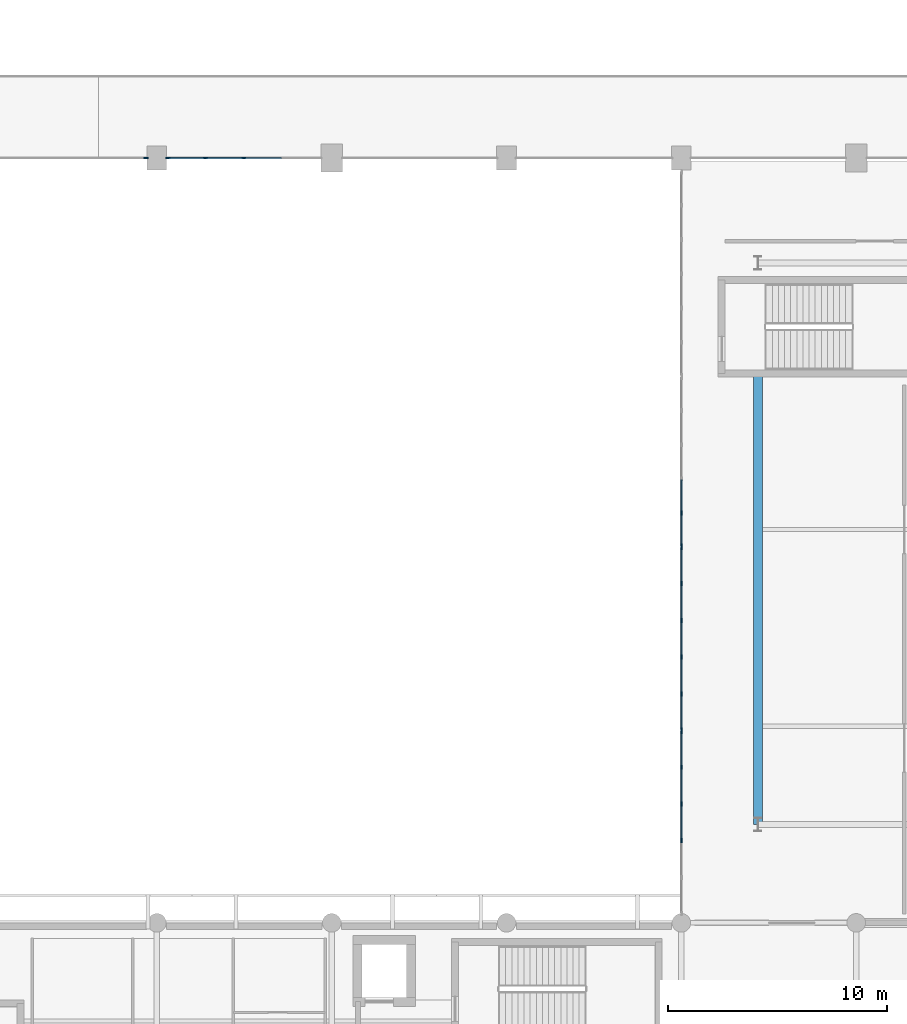
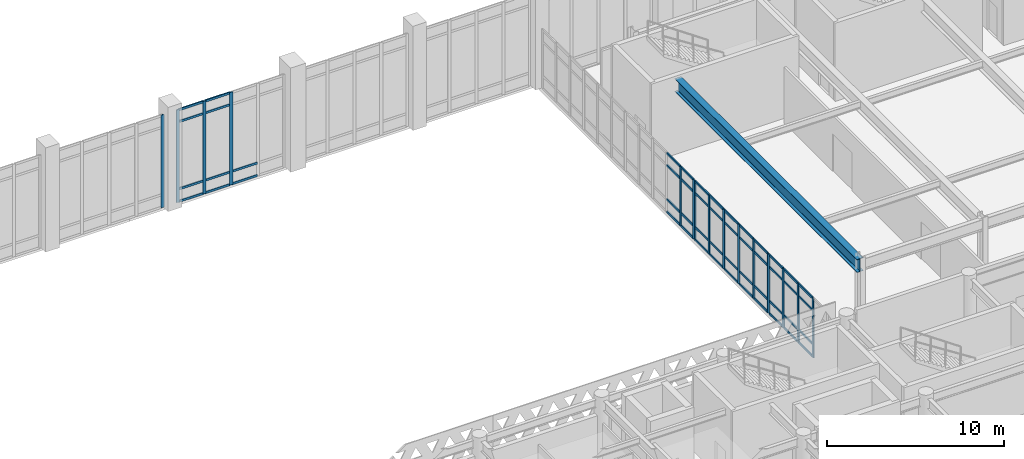
# One storey, part 27 of 84: 66 members, 1 beam, 5 elements without a shape of their own.
"""IFC4 building model written with IfcOpenShell, lengths in metres."""

from ifc_helpers import new_model, si_unit, direction, frame, origin, origin_2d, place, context, subcontext, project, spatial, rectangle, i_section, extrude, material, layer, layer_set, material_profile, profile_set, type_object, element, aggregate, save


model = new_model("IFC4")

# Units and contexts
model_context = context("Model", 3, precision=1e-05, world=origin(), true_north=direction((0.0, 1.0)))
body_context = subcontext(model_context, "Body", "Model", "MODEL_VIEW")
ifc_project = project(units=[si_unit("LENGTHUNIT", "METRE"), si_unit("AREAUNIT", "SQUARE_METRE"), si_unit("VOLUMEUNIT", "CUBIC_METRE"), si_unit("PLANEANGLEUNIT", "RADIAN"), si_unit("MASSUNIT", "GRAM", prefix="KILO")], contexts=[model_context])

# Site, building, storey
site_placement = place(None, origin())
site = spatial("IfcSite", under=ifc_project, at=site_placement, CompositionType="ELEMENT")
building_placement = place(site_placement, origin())
building = spatial("IfcBuilding", under=site, at=building_placement, Name="Tlacozan Convention Centre", CompositionType="ELEMENT")
storey_placement = place(building_placement, frame((0.0, 0.0, 6.0)))
storey = spatial("IfcBuildingStorey", under=building, at=storey_placement, Name="L01", CompositionType="ELEMENT", Elevation=6.0)

# Beam
ifc_material_1 = material(Name="Steel ASTM A992 Grade 50", Category="steel")
ifc_material_profile_1 = material_profile(ifc_material_1, i_section(OverallWidth=0.41796875, OverallDepth=0.912109375, WebThickness=0.019287109375, FlangeThickness=0.031982421875, FilletRadius=0.02001953125, at=origin_2d()), Name="IR 914x342.0")
ifc_profile_set_1 = profile_set([ifc_material_profile_1], Name="Steel ASTM A992 Grade 50")
beam_type = type_object("IfcBeamType", Name="Ballroom Span Girder IR 914x342", PredefinedType="BEAM", material=ifc_profile_set_1)
beam_placement = place(storey_placement, frame((91.5, 31.5, 4.68408203125), z_axis=(0.0, 1.0, 0.0), x_axis=(-1.0, 0.0, 0.0)))
element("IfcBeam", 1, at=beam_placement, inside=storey, type_object=beam_type, Name="L01 Ballroom Span Girder IR 914x342 1439", PredefinedType="BEAM", context=body_context, shape_type="SweptSolid", body=[
    extrude(i_section(OverallWidth=0.41796875, OverallDepth=0.912109375, WebThickness=0.019287109375, FlangeThickness=0.031982421875, FilletRadius=0.02001953125, at=origin_2d()), origin(), (0.0, 0.0, 1.0), 20.639892578125),
])

# Curtain wall, member
ifc_material_2 = material(Name="Dark Bronze Anodised Aluminium", Category="aluminium")
ifc_layer_1 = layer(ifc_material_2, 0.199951171875)
ifc_layer_set_1 = layer_set([ifc_layer_1], Name="Dark Bronze Anodised Aluminium")
curtain_wall_type_1 = type_object("IfcCurtainWallType", Name="Exhibition Clerestory Curtain Wall CW10", PredefinedType="NOTDEFINED", material=ifc_layer_set_1)
curtain_wall_1_placement = place(storey_placement, origin())
curtain_wall_1 = element("IfcCurtainWall", 2, at=curtain_wall_1_placement, inside=storey, type_object=curtain_wall_type_1, Name="L01 CW-10 Run 16", PredefinedType="NOTDEFINED")
ifc_material_profile_2 = material_profile(ifc_material_2, rectangle(XDim=0.074951171875, YDim=0.199951171875, at=origin_2d()), Name="ALU 75x200")
ifc_profile_set_2 = profile_set([ifc_material_profile_2], Name="Dark Bronze Anodised Aluminium")
member_type_1 = type_object("IfcMemberType", Name="Curtain Wall Heavy Mullion 75x200", PredefinedType="MULLION", material=ifc_profile_set_2)
member_1_placement = place(storey_placement, frame((63.49755859375, 62.0, 0.0), z_axis=(0.0, 0.0, 1.0), x_axis=(0.0, 1.0, 0.0)))
member_1 = element("IfcMember", 3, at=member_1_placement, type_object=member_type_1, Name="CW-10 mullion 5", PredefinedType="MULLION", context=body_context, shape_type="SweptSolid", body=[
    extrude(rectangle(XDim=0.074951171875, YDim=0.199951171875, at=origin_2d()), origin(), (0.0, 0.0, 1.0), 6.39990234375),
])
aggregate(curtain_wall_1, [member_1])

# Curtain wall, members
curtain_wall_2_placement = place(storey_placement, origin())
curtain_wall_2 = element("IfcCurtainWall", 4, at=curtain_wall_2_placement, inside=storey, type_object=curtain_wall_type_1, Name="L01 CW-10 Run 17", PredefinedType="NOTDEFINED")
member_2_placement = place(storey_placement, frame((64.50244140625, 62.0, 0.0), z_axis=(0.0, 0.0, 1.0), x_axis=(0.0, 1.0, 0.0)))
member_2 = element("IfcMember", 5, at=member_2_placement, type_object=member_type_1, Name="CW-10 mullion 1", PredefinedType="MULLION", context=body_context, shape_type="SweptSolid", body=[
    extrude(rectangle(XDim=0.074951171875, YDim=0.199951171875, at=origin_2d()), origin(), (0.0, 0.0, 1.0), 6.39990234375),
])
member_3_placement = place(storey_placement, frame((66.219970703125, 62.0, 0.0), z_axis=(0.0, 0.0, 1.0), x_axis=(0.0, 1.0, 0.0)))
member_3 = element("IfcMember", 6, at=member_3_placement, type_object=member_type_1, Name="CW-10 mullion 2", PredefinedType="MULLION", context=body_context, shape_type="SweptSolid", body=[
    extrude(rectangle(XDim=0.074951171875, YDim=0.199951171875, at=origin_2d()), origin(), (0.0, 0.0, 1.0), 6.39990234375),
])
member_4_placement = place(storey_placement, frame((67.97509765625, 62.0, 0.0), z_axis=(0.0, 0.0, 1.0), x_axis=(0.0, 1.0, 0.0)))
member_4 = element("IfcMember", 7, at=member_4_placement, type_object=member_type_1, Name="CW-10 mullion 3", PredefinedType="MULLION", context=body_context, shape_type="SweptSolid", body=[
    extrude(rectangle(XDim=0.074951171875, YDim=0.199951171875, at=origin_2d()), origin(), (0.0, 0.0, 1.0), 6.39990234375),
])

ifc_layer_2 = layer(ifc_material_2, 0.199951171875)
ifc_layer_set_2 = layer_set([ifc_layer_2], Name="Dark Bronze Anodised Aluminium")
curtain_wall_type_2 = type_object("IfcCurtainWallType", Name="Unitised Ballroom Cloister L01 CW08", PredefinedType="NOTDEFINED", material=ifc_layer_set_2)
curtain_wall_3_placement = place(storey_placement, origin())
curtain_wall_3 = element("IfcCurtainWall", 8, at=curtain_wall_3_placement, inside=storey, type_object=curtain_wall_type_2, Name="L01 CW-08 Run 155", PredefinedType="NOTDEFINED")
member_5_placement = place(storey_placement, frame((88.0, 30.760009765625, 0.0), z_axis=(0.0, 0.0, 1.0), x_axis=(-1.0, 0.0, 0.0)))
member_5 = element("IfcMember", 9, at=member_5_placement, type_object=member_type_1, Name="CW-08 mullion 3", PredefinedType="MULLION", context=body_context, shape_type="SweptSolid", body=[
    extrude(rectangle(XDim=0.074951171875, YDim=0.199951171875, at=origin_2d()), origin(), (0.0, 0.0, 1.0), 4.10009765625),
])
member_6_placement = place(storey_placement, frame((88.0, 32.43994140625, 0.0), z_axis=(0.0, 0.0, 1.0), x_axis=(-1.0, 0.0, 0.0)))
member_6 = element("IfcMember", 10, at=member_6_placement, type_object=member_type_1, Name="CW-08 mullion 4", PredefinedType="MULLION", context=body_context, shape_type="SweptSolid", body=[
    extrude(rectangle(XDim=0.074951171875, YDim=0.199951171875, at=origin_2d()), origin(), (0.0, 0.0, 1.0), 4.10009765625),
])
member_7_placement = place(storey_placement, frame((88.0, 34.1201171875, 0.0), z_axis=(0.0, 0.0, 1.0), x_axis=(-1.0, 0.0, 0.0)))
member_7 = element("IfcMember", 11, at=member_7_placement, type_object=member_type_1, Name="CW-08 mullion 5", PredefinedType="MULLION", context=body_context, shape_type="SweptSolid", body=[
    extrude(rectangle(XDim=0.074951171875, YDim=0.199951171875, at=origin_2d()), origin(), (0.0, 0.0, 1.0), 4.10009765625),
])
member_8_placement = place(storey_placement, frame((88.0, 35.762451171875, 0.0), z_axis=(0.0, 0.0, 1.0), x_axis=(-1.0, 0.0, 0.0)))
member_8 = element("IfcMember", 12, at=member_8_placement, type_object=member_type_1, Name="CW-08 mullion 6", PredefinedType="MULLION", context=body_context, shape_type="SweptSolid", body=[
    extrude(rectangle(XDim=0.074951171875, YDim=0.199951171875, at=origin_2d()), origin(), (0.0, 0.0, 1.0), 4.10009765625),
])

curtain_wall_4_placement = place(storey_placement, origin())
curtain_wall_4 = element("IfcCurtainWall", 13, at=curtain_wall_4_placement, inside=storey, type_object=curtain_wall_type_2, Name="L01 CW-08 Run 157", PredefinedType="NOTDEFINED")
member_9_placement = place(storey_placement, frame((88.0, 35.83740234375, 0.0), z_axis=(0.0, 0.0, 1.0), x_axis=(-1.0, 0.0, 0.0)))
member_9 = element("IfcMember", 14, at=member_9_placement, type_object=member_type_1, Name="CW-08 mullion 1", PredefinedType="MULLION", context=body_context, shape_type="SweptSolid", body=[
    extrude(rectangle(XDim=0.074951171875, YDim=0.199951171875, at=origin_2d()), origin(), (0.0, 0.0, 1.0), 4.10009765625),
])
member_10_placement = place(storey_placement, frame((88.0, 37.47998046875, 0.0), z_axis=(0.0, 0.0, 1.0), x_axis=(-1.0, 0.0, 0.0)))
member_10 = element("IfcMember", 15, at=member_10_placement, type_object=member_type_1, Name="CW-08 mullion 2", PredefinedType="MULLION", context=body_context, shape_type="SweptSolid", body=[
    extrude(rectangle(XDim=0.074951171875, YDim=0.199951171875, at=origin_2d()), origin(), (0.0, 0.0, 1.0), 4.10009765625),
])
member_11_placement = place(storey_placement, frame((88.0, 39.159912109375, 0.0), z_axis=(0.0, 0.0, 1.0), x_axis=(-1.0, 0.0, 0.0)))
member_11 = element("IfcMember", 16, at=member_11_placement, type_object=member_type_1, Name="CW-08 mullion 3", PredefinedType="MULLION", context=body_context, shape_type="SweptSolid", body=[
    extrude(rectangle(XDim=0.074951171875, YDim=0.199951171875, at=origin_2d()), origin(), (0.0, 0.0, 1.0), 4.10009765625),
])
member_12_placement = place(storey_placement, frame((88.0, 40.840087890625, 0.0), z_axis=(0.0, 0.0, 1.0), x_axis=(-1.0, 0.0, 0.0)))
member_12 = element("IfcMember", 17, at=member_12_placement, type_object=member_type_1, Name="CW-08 mullion 4", PredefinedType="MULLION", context=body_context, shape_type="SweptSolid", body=[
    extrude(rectangle(XDim=0.074951171875, YDim=0.199951171875, at=origin_2d()), origin(), (0.0, 0.0, 1.0), 4.10009765625),
])
member_13_placement = place(storey_placement, frame((88.0, 42.52001953125, 0.0), z_axis=(0.0, 0.0, 1.0), x_axis=(-1.0, 0.0, 0.0)))
member_13 = element("IfcMember", 18, at=member_13_placement, type_object=member_type_1, Name="CW-08 mullion 5", PredefinedType="MULLION", context=body_context, shape_type="SweptSolid", body=[
    extrude(rectangle(XDim=0.074951171875, YDim=0.199951171875, at=origin_2d()), origin(), (0.0, 0.0, 1.0), 4.10009765625),
])
member_14_placement = place(storey_placement, frame((88.0, 44.16259765625, 0.0), z_axis=(0.0, 0.0, 1.0), x_axis=(-1.0, 0.0, 0.0)))
member_14 = element("IfcMember", 19, at=member_14_placement, type_object=member_type_1, Name="CW-08 mullion 6", PredefinedType="MULLION", context=body_context, shape_type="SweptSolid", body=[
    extrude(rectangle(XDim=0.074951171875, YDim=0.199951171875, at=origin_2d()), origin(), (0.0, 0.0, 1.0), 4.10009765625),
])

curtain_wall_5_placement = place(storey_placement, origin())
curtain_wall_5 = element("IfcCurtainWall", 20, at=curtain_wall_5_placement, inside=storey, type_object=curtain_wall_type_2, Name="L01 CW-08 Run 160", PredefinedType="NOTDEFINED")
member_15_placement = place(storey_placement, frame((88.0, 44.237548828125, 0.0), z_axis=(0.0, 0.0, 1.0), x_axis=(-1.0, 0.0, 0.0)))
member_15 = element("IfcMember", 21, at=member_15_placement, type_object=member_type_1, Name="CW-08 mullion 1", PredefinedType="MULLION", context=body_context, shape_type="SweptSolid", body=[
    extrude(rectangle(XDim=0.074951171875, YDim=0.199951171875, at=origin_2d()), origin(), (0.0, 0.0, 1.0), 4.10009765625),
])
member_16_placement = place(storey_placement, frame((88.0, 45.760009765625, 0.0), z_axis=(0.0, 0.0, 1.0), x_axis=(-1.0, 0.0, 0.0)))
member_16 = element("IfcMember", 22, at=member_16_placement, type_object=member_type_1, Name="CW-08 mullion 2", PredefinedType="MULLION", context=body_context, shape_type="SweptSolid", body=[
    extrude(rectangle(XDim=0.074951171875, YDim=0.199951171875, at=origin_2d()), origin(), (0.0, 0.0, 1.0), 4.10009765625),
])

# Member
ifc_material_profile_3 = material_profile(ifc_material_2, rectangle(XDim=0.074951171875, YDim=0.14990234375, at=origin_2d()), Name="ALU 75x150")
ifc_profile_set_3 = profile_set([ifc_material_profile_3], Name="Dark Bronze Anodised Aluminium")
member_type_2 = type_object("IfcMemberType", Name="Curtain Wall Heavy Transom 75x150", PredefinedType="USERDEFINED", material=ifc_profile_set_3)
member_17_placement = place(storey_placement, frame((64.5400390625, 62.0, 0.03759765625), z_axis=(1.0, 0.0, 0.0), x_axis=(0.0, 1.0, 0.0)))
member_17 = element("IfcMember", 23, at=member_17_placement, type_object=member_type_2, Name="CW-10 transom 1.1", ObjectType="TRANSOM", PredefinedType="USERDEFINED", context=body_context, shape_type="SweptSolid", body=[
    extrude(rectangle(XDim=0.074951171875, YDim=0.14990234375, at=origin_2d()), origin(), (0.0, 0.0, 1.0), 1.642578125),
])

member_18_placement = place(storey_placement, frame((64.5400390625, 62.0, 0.89990234375), z_axis=(1.0, 0.0, 0.0), x_axis=(0.0, 1.0, 0.0)))
member_18 = element("IfcMember", 24, at=member_18_placement, type_object=member_type_2, Name="CW-10 transom 1.2", ObjectType="TRANSOM", PredefinedType="USERDEFINED", context=body_context, shape_type="SweptSolid", body=[
    extrude(rectangle(XDim=0.074951171875, YDim=0.14990234375, at=origin_2d()), origin(), (0.0, 0.0, 1.0), 1.642578125),
])

member_19_placement = place(storey_placement, frame((64.5400390625, 62.0, 5.550048828125), z_axis=(1.0, 0.0, 0.0), x_axis=(0.0, 1.0, 0.0)))
member_19 = element("IfcMember", 25, at=member_19_placement, type_object=member_type_2, Name="CW-10 transom 1.3", ObjectType="TRANSOM", PredefinedType="USERDEFINED", context=body_context, shape_type="SweptSolid", body=[
    extrude(rectangle(XDim=0.074951171875, YDim=0.14990234375, at=origin_2d()), origin(), (0.0, 0.0, 1.0), 1.642578125),
])

member_20_placement = place(storey_placement, frame((64.5400390625, 62.0, 6.362548828125), z_axis=(1.0, 0.0, 0.0), x_axis=(0.0, 1.0, 0.0)))
member_20 = element("IfcMember", 26, at=member_20_placement, type_object=member_type_2, Name="CW-10 transom 1.4", ObjectType="TRANSOM", PredefinedType="USERDEFINED", context=body_context, shape_type="SweptSolid", body=[
    extrude(rectangle(XDim=0.074951171875, YDim=0.14990234375, at=origin_2d()), origin(), (0.0, 0.0, 1.0), 1.642578125),
])

member_21_placement = place(storey_placement, frame((66.257568359375, 62.0, 0.03759765625), z_axis=(1.0, 0.0, 0.0), x_axis=(0.0, 1.0, 0.0)))
member_21 = element("IfcMember", 27, at=member_21_placement, type_object=member_type_2, Name="CW-10 transom 2.1", ObjectType="TRANSOM", PredefinedType="USERDEFINED", context=body_context, shape_type="SweptSolid", body=[
    extrude(rectangle(XDim=0.074951171875, YDim=0.14990234375, at=origin_2d()), origin(), (0.0, 0.0, 1.0), 1.679931640625),
])

member_22_placement = place(storey_placement, frame((66.257568359375, 62.0, 0.89990234375), z_axis=(1.0, 0.0, 0.0), x_axis=(0.0, 1.0, 0.0)))
member_22 = element("IfcMember", 28, at=member_22_placement, type_object=member_type_2, Name="CW-10 transom 2.2", ObjectType="TRANSOM", PredefinedType="USERDEFINED", context=body_context, shape_type="SweptSolid", body=[
    extrude(rectangle(XDim=0.074951171875, YDim=0.14990234375, at=origin_2d()), origin(), (0.0, 0.0, 1.0), 1.679931640625),
])

member_23_placement = place(storey_placement, frame((66.257568359375, 62.0, 5.550048828125), z_axis=(1.0, 0.0, 0.0), x_axis=(0.0, 1.0, 0.0)))
member_23 = element("IfcMember", 29, at=member_23_placement, type_object=member_type_2, Name="CW-10 transom 2.3", ObjectType="TRANSOM", PredefinedType="USERDEFINED", context=body_context, shape_type="SweptSolid", body=[
    extrude(rectangle(XDim=0.074951171875, YDim=0.14990234375, at=origin_2d()), origin(), (0.0, 0.0, 1.0), 1.679931640625),
])

member_24_placement = place(storey_placement, frame((66.257568359375, 62.0, 6.362548828125), z_axis=(1.0, 0.0, 0.0), x_axis=(0.0, 1.0, 0.0)))
member_24 = element("IfcMember", 30, at=member_24_placement, type_object=member_type_2, Name="CW-10 transom 2.4", ObjectType="TRANSOM", PredefinedType="USERDEFINED", context=body_context, shape_type="SweptSolid", body=[
    extrude(rectangle(XDim=0.074951171875, YDim=0.14990234375, at=origin_2d()), origin(), (0.0, 0.0, 1.0), 1.679931640625),
])

member_25_placement = place(storey_placement, frame((68.012451171875, 62.0, 0.03759765625), z_axis=(1.0, 0.0, 0.0), x_axis=(0.0, 1.0, 0.0)))
member_25 = element("IfcMember", 31, at=member_25_placement, type_object=member_type_2, Name="CW-10 transom 3.1", ObjectType="TRANSOM", PredefinedType="USERDEFINED", context=body_context, shape_type="SweptSolid", body=[
    extrude(rectangle(XDim=0.074951171875, YDim=0.14990234375, at=origin_2d()), origin(), (0.0, 0.0, 1.0), 1.679931640625),
])

member_26_placement = place(storey_placement, frame((68.012451171875, 62.0, 0.89990234375), z_axis=(1.0, 0.0, 0.0), x_axis=(0.0, 1.0, 0.0)))
member_26 = element("IfcMember", 32, at=member_26_placement, type_object=member_type_2, Name="CW-10 transom 3.2", ObjectType="TRANSOM", PredefinedType="USERDEFINED", context=body_context, shape_type="SweptSolid", body=[
    extrude(rectangle(XDim=0.074951171875, YDim=0.14990234375, at=origin_2d()), origin(), (0.0, 0.0, 1.0), 1.679931640625),
])

aggregate(curtain_wall_2, [member_2, member_3, member_4, member_17, member_18, member_19, member_20, member_21, member_22, member_23, member_24, member_25, member_26])

member_27_placement = place(storey_placement, frame((88.0, 30.797607421875, 0.03759765625), z_axis=(0.0, 1.0, 0.0), x_axis=(-1.0, 0.0, 0.0)))
member_27 = element("IfcMember", 33, at=member_27_placement, type_object=member_type_2, Name="CW-08 transom 3.1", ObjectType="TRANSOM", PredefinedType="USERDEFINED", context=body_context, shape_type="SweptSolid", body=[
    extrude(rectangle(XDim=0.074951171875, YDim=0.14990234375, at=origin_2d()), origin(), (0.0, 0.0, 1.0), 1.60498046875),
])

member_28_placement = place(storey_placement, frame((88.0, 30.797607421875, 0.89990234375), z_axis=(0.0, 1.0, 0.0), x_axis=(-1.0, 0.0, 0.0)))
member_28 = element("IfcMember", 34, at=member_28_placement, type_object=member_type_2, Name="CW-08 transom 3.2", ObjectType="TRANSOM", PredefinedType="USERDEFINED", context=body_context, shape_type="SweptSolid", body=[
    extrude(rectangle(XDim=0.074951171875, YDim=0.14990234375, at=origin_2d()), origin(), (0.0, 0.0, 1.0), 1.60498046875),
])

member_29_placement = place(storey_placement, frame((88.0, 30.797607421875, 3.25), z_axis=(0.0, 1.0, 0.0), x_axis=(-1.0, 0.0, 0.0)))
member_29 = element("IfcMember", 35, at=member_29_placement, type_object=member_type_2, Name="CW-08 transom 3.3", ObjectType="TRANSOM", PredefinedType="USERDEFINED", context=body_context, shape_type="SweptSolid", body=[
    extrude(rectangle(XDim=0.074951171875, YDim=0.14990234375, at=origin_2d()), origin(), (0.0, 0.0, 1.0), 1.60498046875),
])

member_30_placement = place(storey_placement, frame((88.0, 30.797607421875, 4.0625), z_axis=(0.0, 1.0, 0.0), x_axis=(-1.0, 0.0, 0.0)))
member_30 = element("IfcMember", 36, at=member_30_placement, type_object=member_type_2, Name="CW-08 transom 3.4", ObjectType="TRANSOM", PredefinedType="USERDEFINED", context=body_context, shape_type="SweptSolid", body=[
    extrude(rectangle(XDim=0.074951171875, YDim=0.14990234375, at=origin_2d()), origin(), (0.0, 0.0, 1.0), 1.60498046875),
])

member_31_placement = place(storey_placement, frame((88.0, 32.4775390625, 0.03759765625), z_axis=(0.0, 1.0, 0.0), x_axis=(-1.0, 0.0, 0.0)))
member_31 = element("IfcMember", 37, at=member_31_placement, type_object=member_type_2, Name="CW-08 transom 4.1", ObjectType="TRANSOM", PredefinedType="USERDEFINED", context=body_context, shape_type="SweptSolid", body=[
    extrude(rectangle(XDim=0.074951171875, YDim=0.14990234375, at=origin_2d()), origin(), (0.0, 0.0, 1.0), 1.60498046875),
])

member_32_placement = place(storey_placement, frame((88.0, 32.4775390625, 0.89990234375), z_axis=(0.0, 1.0, 0.0), x_axis=(-1.0, 0.0, 0.0)))
member_32 = element("IfcMember", 38, at=member_32_placement, type_object=member_type_2, Name="CW-08 transom 4.2", ObjectType="TRANSOM", PredefinedType="USERDEFINED", context=body_context, shape_type="SweptSolid", body=[
    extrude(rectangle(XDim=0.074951171875, YDim=0.14990234375, at=origin_2d()), origin(), (0.0, 0.0, 1.0), 1.60498046875),
])

member_33_placement = place(storey_placement, frame((88.0, 32.4775390625, 3.25), z_axis=(0.0, 1.0, 0.0), x_axis=(-1.0, 0.0, 0.0)))
member_33 = element("IfcMember", 39, at=member_33_placement, type_object=member_type_2, Name="CW-08 transom 4.3", ObjectType="TRANSOM", PredefinedType="USERDEFINED", context=body_context, shape_type="SweptSolid", body=[
    extrude(rectangle(XDim=0.074951171875, YDim=0.14990234375, at=origin_2d()), origin(), (0.0, 0.0, 1.0), 1.60498046875),
])

member_34_placement = place(storey_placement, frame((88.0, 32.4775390625, 4.0625), z_axis=(0.0, 1.0, 0.0), x_axis=(-1.0, 0.0, 0.0)))
member_34 = element("IfcMember", 40, at=member_34_placement, type_object=member_type_2, Name="CW-08 transom 4.4", ObjectType="TRANSOM", PredefinedType="USERDEFINED", context=body_context, shape_type="SweptSolid", body=[
    extrude(rectangle(XDim=0.074951171875, YDim=0.14990234375, at=origin_2d()), origin(), (0.0, 0.0, 1.0), 1.60498046875),
])

member_35_placement = place(storey_placement, frame((88.0, 34.157470703125, 0.03759765625), z_axis=(0.0, 1.0, 0.0), x_axis=(-1.0, 0.0, 0.0)))
member_35 = element("IfcMember", 41, at=member_35_placement, type_object=member_type_2, Name="CW-08 transom 5.1", ObjectType="TRANSOM", PredefinedType="USERDEFINED", context=body_context, shape_type="SweptSolid", body=[
    extrude(rectangle(XDim=0.074951171875, YDim=0.14990234375, at=origin_2d()), origin(), (0.0, 0.0, 1.0), 1.567626953125),
])

member_36_placement = place(storey_placement, frame((88.0, 34.157470703125, 0.89990234375), z_axis=(0.0, 1.0, 0.0), x_axis=(-1.0, 0.0, 0.0)))
member_36 = element("IfcMember", 42, at=member_36_placement, type_object=member_type_2, Name="CW-08 transom 5.2", ObjectType="TRANSOM", PredefinedType="USERDEFINED", context=body_context, shape_type="SweptSolid", body=[
    extrude(rectangle(XDim=0.074951171875, YDim=0.14990234375, at=origin_2d()), origin(), (0.0, 0.0, 1.0), 1.567626953125),
])

member_37_placement = place(storey_placement, frame((88.0, 34.157470703125, 3.25), z_axis=(0.0, 1.0, 0.0), x_axis=(-1.0, 0.0, 0.0)))
member_37 = element("IfcMember", 43, at=member_37_placement, type_object=member_type_2, Name="CW-08 transom 5.3", ObjectType="TRANSOM", PredefinedType="USERDEFINED", context=body_context, shape_type="SweptSolid", body=[
    extrude(rectangle(XDim=0.074951171875, YDim=0.14990234375, at=origin_2d()), origin(), (0.0, 0.0, 1.0), 1.567626953125),
])

member_38_placement = place(storey_placement, frame((88.0, 34.157470703125, 4.0625), z_axis=(0.0, 1.0, 0.0), x_axis=(-1.0, 0.0, 0.0)))
member_38 = element("IfcMember", 44, at=member_38_placement, type_object=member_type_2, Name="CW-08 transom 5.4", ObjectType="TRANSOM", PredefinedType="USERDEFINED", context=body_context, shape_type="SweptSolid", body=[
    extrude(rectangle(XDim=0.074951171875, YDim=0.14990234375, at=origin_2d()), origin(), (0.0, 0.0, 1.0), 1.567626953125),
])

aggregate(curtain_wall_3, [member_5, member_6, member_7, member_8, member_27, member_28, member_29, member_30, member_31, member_32, member_33, member_34, member_35, member_36, member_37, member_38])

member_39_placement = place(storey_placement, frame((88.0, 35.875, 0.03759765625), z_axis=(0.0, 1.0, 0.0), x_axis=(-1.0, 0.0, 0.0)))
member_39 = element("IfcMember", 45, at=member_39_placement, type_object=member_type_2, Name="CW-08 transom 1.1", ObjectType="TRANSOM", PredefinedType="USERDEFINED", context=body_context, shape_type="SweptSolid", body=[
    extrude(rectangle(XDim=0.074951171875, YDim=0.14990234375, at=origin_2d()), origin(), (0.0, 0.0, 1.0), 1.5673828125),
])

member_40_placement = place(storey_placement, frame((88.0, 35.875, 0.89990234375), z_axis=(0.0, 1.0, 0.0), x_axis=(-1.0, 0.0, 0.0)))
member_40 = element("IfcMember", 46, at=member_40_placement, type_object=member_type_2, Name="CW-08 transom 1.2", ObjectType="TRANSOM", PredefinedType="USERDEFINED", context=body_context, shape_type="SweptSolid", body=[
    extrude(rectangle(XDim=0.074951171875, YDim=0.14990234375, at=origin_2d()), origin(), (0.0, 0.0, 1.0), 1.5673828125),
])

member_41_placement = place(storey_placement, frame((88.0, 35.875, 3.25), z_axis=(0.0, 1.0, 0.0), x_axis=(-1.0, 0.0, 0.0)))
member_41 = element("IfcMember", 47, at=member_41_placement, type_object=member_type_2, Name="CW-08 transom 1.3", ObjectType="TRANSOM", PredefinedType="USERDEFINED", context=body_context, shape_type="SweptSolid", body=[
    extrude(rectangle(XDim=0.074951171875, YDim=0.14990234375, at=origin_2d()), origin(), (0.0, 0.0, 1.0), 1.5673828125),
])

member_42_placement = place(storey_placement, frame((88.0, 35.875, 4.0625), z_axis=(0.0, 1.0, 0.0), x_axis=(-1.0, 0.0, 0.0)))
member_42 = element("IfcMember", 48, at=member_42_placement, type_object=member_type_2, Name="CW-08 transom 1.4", ObjectType="TRANSOM", PredefinedType="USERDEFINED", context=body_context, shape_type="SweptSolid", body=[
    extrude(rectangle(XDim=0.074951171875, YDim=0.14990234375, at=origin_2d()), origin(), (0.0, 0.0, 1.0), 1.5673828125),
])

member_43_placement = place(storey_placement, frame((88.0, 37.517578125, 0.03759765625), z_axis=(0.0, 1.0, 0.0), x_axis=(-1.0, 0.0, 0.0)))
member_43 = element("IfcMember", 49, at=member_43_placement, type_object=member_type_2, Name="CW-08 transom 2.1", ObjectType="TRANSOM", PredefinedType="USERDEFINED", context=body_context, shape_type="SweptSolid", body=[
    extrude(rectangle(XDim=0.074951171875, YDim=0.14990234375, at=origin_2d()), origin(), (0.0, 0.0, 1.0), 1.60498046875),
])

member_44_placement = place(storey_placement, frame((88.0, 37.517578125, 0.89990234375), z_axis=(0.0, 1.0, 0.0), x_axis=(-1.0, 0.0, 0.0)))
member_44 = element("IfcMember", 50, at=member_44_placement, type_object=member_type_2, Name="CW-08 transom 2.2", ObjectType="TRANSOM", PredefinedType="USERDEFINED", context=body_context, shape_type="SweptSolid", body=[
    extrude(rectangle(XDim=0.074951171875, YDim=0.14990234375, at=origin_2d()), origin(), (0.0, 0.0, 1.0), 1.60498046875),
])

member_45_placement = place(storey_placement, frame((88.0, 37.517578125, 3.25), z_axis=(0.0, 1.0, 0.0), x_axis=(-1.0, 0.0, 0.0)))
member_45 = element("IfcMember", 51, at=member_45_placement, type_object=member_type_2, Name="CW-08 transom 2.3", ObjectType="TRANSOM", PredefinedType="USERDEFINED", context=body_context, shape_type="SweptSolid", body=[
    extrude(rectangle(XDim=0.074951171875, YDim=0.14990234375, at=origin_2d()), origin(), (0.0, 0.0, 1.0), 1.60498046875),
])

member_46_placement = place(storey_placement, frame((88.0, 37.517578125, 4.0625), z_axis=(0.0, 1.0, 0.0), x_axis=(-1.0, 0.0, 0.0)))
member_46 = element("IfcMember", 52, at=member_46_placement, type_object=member_type_2, Name="CW-08 transom 2.4", ObjectType="TRANSOM", PredefinedType="USERDEFINED", context=body_context, shape_type="SweptSolid", body=[
    extrude(rectangle(XDim=0.074951171875, YDim=0.14990234375, at=origin_2d()), origin(), (0.0, 0.0, 1.0), 1.60498046875),
])

member_47_placement = place(storey_placement, frame((88.0, 39.197509765625, 0.03759765625), z_axis=(0.0, 1.0, 0.0), x_axis=(-1.0, 0.0, 0.0)))
member_47 = element("IfcMember", 53, at=member_47_placement, type_object=member_type_2, Name="CW-08 transom 3.1", ObjectType="TRANSOM", PredefinedType="USERDEFINED", context=body_context, shape_type="SweptSolid", body=[
    extrude(rectangle(XDim=0.074951171875, YDim=0.14990234375, at=origin_2d()), origin(), (0.0, 0.0, 1.0), 1.60498046875),
])

member_48_placement = place(storey_placement, frame((88.0, 39.197509765625, 0.89990234375), z_axis=(0.0, 1.0, 0.0), x_axis=(-1.0, 0.0, 0.0)))
member_48 = element("IfcMember", 54, at=member_48_placement, type_object=member_type_2, Name="CW-08 transom 3.2", ObjectType="TRANSOM", PredefinedType="USERDEFINED", context=body_context, shape_type="SweptSolid", body=[
    extrude(rectangle(XDim=0.074951171875, YDim=0.14990234375, at=origin_2d()), origin(), (0.0, 0.0, 1.0), 1.60498046875),
])

member_49_placement = place(storey_placement, frame((88.0, 39.197509765625, 3.25), z_axis=(0.0, 1.0, 0.0), x_axis=(-1.0, 0.0, 0.0)))
member_49 = element("IfcMember", 55, at=member_49_placement, type_object=member_type_2, Name="CW-08 transom 3.3", ObjectType="TRANSOM", PredefinedType="USERDEFINED", context=body_context, shape_type="SweptSolid", body=[
    extrude(rectangle(XDim=0.074951171875, YDim=0.14990234375, at=origin_2d()), origin(), (0.0, 0.0, 1.0), 1.60498046875),
])

member_50_placement = place(storey_placement, frame((88.0, 39.197509765625, 4.0625), z_axis=(0.0, 1.0, 0.0), x_axis=(-1.0, 0.0, 0.0)))
member_50 = element("IfcMember", 56, at=member_50_placement, type_object=member_type_2, Name="CW-08 transom 3.4", ObjectType="TRANSOM", PredefinedType="USERDEFINED", context=body_context, shape_type="SweptSolid", body=[
    extrude(rectangle(XDim=0.074951171875, YDim=0.14990234375, at=origin_2d()), origin(), (0.0, 0.0, 1.0), 1.60498046875),
])

member_51_placement = place(storey_placement, frame((88.0, 40.87744140625, 0.03759765625), z_axis=(0.0, 1.0, 0.0), x_axis=(-1.0, 0.0, 0.0)))
member_51 = element("IfcMember", 57, at=member_51_placement, type_object=member_type_2, Name="CW-08 transom 4.1", ObjectType="TRANSOM", PredefinedType="USERDEFINED", context=body_context, shape_type="SweptSolid", body=[
    extrude(rectangle(XDim=0.074951171875, YDim=0.14990234375, at=origin_2d()), origin(), (0.0, 0.0, 1.0), 1.60498046875),
])

member_52_placement = place(storey_placement, frame((88.0, 40.87744140625, 0.89990234375), z_axis=(0.0, 1.0, 0.0), x_axis=(-1.0, 0.0, 0.0)))
member_52 = element("IfcMember", 58, at=member_52_placement, type_object=member_type_2, Name="CW-08 transom 4.2", ObjectType="TRANSOM", PredefinedType="USERDEFINED", context=body_context, shape_type="SweptSolid", body=[
    extrude(rectangle(XDim=0.074951171875, YDim=0.14990234375, at=origin_2d()), origin(), (0.0, 0.0, 1.0), 1.60498046875),
])

member_53_placement = place(storey_placement, frame((88.0, 40.87744140625, 3.25), z_axis=(0.0, 1.0, 0.0), x_axis=(-1.0, 0.0, 0.0)))
member_53 = element("IfcMember", 59, at=member_53_placement, type_object=member_type_2, Name="CW-08 transom 4.3", ObjectType="TRANSOM", PredefinedType="USERDEFINED", context=body_context, shape_type="SweptSolid", body=[
    extrude(rectangle(XDim=0.074951171875, YDim=0.14990234375, at=origin_2d()), origin(), (0.0, 0.0, 1.0), 1.60498046875),
])

member_54_placement = place(storey_placement, frame((88.0, 40.87744140625, 4.0625), z_axis=(0.0, 1.0, 0.0), x_axis=(-1.0, 0.0, 0.0)))
member_54 = element("IfcMember", 60, at=member_54_placement, type_object=member_type_2, Name="CW-08 transom 4.4", ObjectType="TRANSOM", PredefinedType="USERDEFINED", context=body_context, shape_type="SweptSolid", body=[
    extrude(rectangle(XDim=0.074951171875, YDim=0.14990234375, at=origin_2d()), origin(), (0.0, 0.0, 1.0), 1.60498046875),
])

member_55_placement = place(storey_placement, frame((88.0, 42.5576171875, 0.03759765625), z_axis=(0.0, 1.0, 0.0), x_axis=(-1.0, 0.0, 0.0)))
member_55 = element("IfcMember", 61, at=member_55_placement, type_object=member_type_2, Name="CW-08 transom 5.1", ObjectType="TRANSOM", PredefinedType="USERDEFINED", context=body_context, shape_type="SweptSolid", body=[
    extrude(rectangle(XDim=0.074951171875, YDim=0.14990234375, at=origin_2d()), origin(), (0.0, 0.0, 1.0), 1.5673828125),
])

member_56_placement = place(storey_placement, frame((88.0, 42.5576171875, 0.89990234375), z_axis=(0.0, 1.0, 0.0), x_axis=(-1.0, 0.0, 0.0)))
member_56 = element("IfcMember", 62, at=member_56_placement, type_object=member_type_2, Name="CW-08 transom 5.2", ObjectType="TRANSOM", PredefinedType="USERDEFINED", context=body_context, shape_type="SweptSolid", body=[
    extrude(rectangle(XDim=0.074951171875, YDim=0.14990234375, at=origin_2d()), origin(), (0.0, 0.0, 1.0), 1.5673828125),
])

member_57_placement = place(storey_placement, frame((88.0, 42.5576171875, 3.25), z_axis=(0.0, 1.0, 0.0), x_axis=(-1.0, 0.0, 0.0)))
member_57 = element("IfcMember", 63, at=member_57_placement, type_object=member_type_2, Name="CW-08 transom 5.3", ObjectType="TRANSOM", PredefinedType="USERDEFINED", context=body_context, shape_type="SweptSolid", body=[
    extrude(rectangle(XDim=0.074951171875, YDim=0.14990234375, at=origin_2d()), origin(), (0.0, 0.0, 1.0), 1.5673828125),
])

member_58_placement = place(storey_placement, frame((88.0, 42.5576171875, 4.0625), z_axis=(0.0, 1.0, 0.0), x_axis=(-1.0, 0.0, 0.0)))
member_58 = element("IfcMember", 64, at=member_58_placement, type_object=member_type_2, Name="CW-08 transom 5.4", ObjectType="TRANSOM", PredefinedType="USERDEFINED", context=body_context, shape_type="SweptSolid", body=[
    extrude(rectangle(XDim=0.074951171875, YDim=0.14990234375, at=origin_2d()), origin(), (0.0, 0.0, 1.0), 1.5673828125),
])

aggregate(curtain_wall_4, [member_9, member_10, member_11, member_12, member_13, member_14, member_39, member_40, member_41, member_42, member_43, member_44, member_45, member_46, member_47, member_48, member_49, member_50, member_51, member_52, member_53, member_54, member_55, member_56, member_57, member_58])

member_59_placement = place(storey_placement, frame((88.0, 44.27490234375, 0.03759765625), z_axis=(0.0, 1.0, 0.0), x_axis=(-1.0, 0.0, 0.0)))
member_59 = element("IfcMember", 65, at=member_59_placement, type_object=member_type_2, Name="CW-08 transom 1.1", ObjectType="TRANSOM", PredefinedType="USERDEFINED", context=body_context, shape_type="SweptSolid", body=[
    extrude(rectangle(XDim=0.074951171875, YDim=0.14990234375, at=origin_2d()), origin(), (0.0, 0.0, 1.0), 1.447509765625),
])

member_60_placement = place(storey_placement, frame((88.0, 44.27490234375, 0.89990234375), z_axis=(0.0, 1.0, 0.0), x_axis=(-1.0, 0.0, 0.0)))
member_60 = element("IfcMember", 66, at=member_60_placement, type_object=member_type_2, Name="CW-08 transom 1.2", ObjectType="TRANSOM", PredefinedType="USERDEFINED", context=body_context, shape_type="SweptSolid", body=[
    extrude(rectangle(XDim=0.074951171875, YDim=0.14990234375, at=origin_2d()), origin(), (0.0, 0.0, 1.0), 1.447509765625),
])

member_61_placement = place(storey_placement, frame((88.0, 44.27490234375, 3.25), z_axis=(0.0, 1.0, 0.0), x_axis=(-1.0, 0.0, 0.0)))
member_61 = element("IfcMember", 67, at=member_61_placement, type_object=member_type_2, Name="CW-08 transom 1.3", ObjectType="TRANSOM", PredefinedType="USERDEFINED", context=body_context, shape_type="SweptSolid", body=[
    extrude(rectangle(XDim=0.074951171875, YDim=0.14990234375, at=origin_2d()), origin(), (0.0, 0.0, 1.0), 1.447509765625),
])

member_62_placement = place(storey_placement, frame((88.0, 44.27490234375, 4.0625), z_axis=(0.0, 1.0, 0.0), x_axis=(-1.0, 0.0, 0.0)))
member_62 = element("IfcMember", 68, at=member_62_placement, type_object=member_type_2, Name="CW-08 transom 1.4", ObjectType="TRANSOM", PredefinedType="USERDEFINED", context=body_context, shape_type="SweptSolid", body=[
    extrude(rectangle(XDim=0.074951171875, YDim=0.14990234375, at=origin_2d()), origin(), (0.0, 0.0, 1.0), 1.447509765625),
])

member_63_placement = place(storey_placement, frame((88.0, 45.797607421875, 0.03759765625), z_axis=(0.0, 1.0, 0.0), x_axis=(-1.0, 0.0, 0.0)))
member_63 = element("IfcMember", 69, at=member_63_placement, type_object=member_type_2, Name="CW-08 transom 2.1", ObjectType="TRANSOM", PredefinedType="USERDEFINED", context=body_context, shape_type="SweptSolid", body=[
    extrude(rectangle(XDim=0.074951171875, YDim=0.14990234375, at=origin_2d()), origin(), (0.0, 0.0, 1.0), 1.48486328125),
])

member_64_placement = place(storey_placement, frame((88.0, 45.797607421875, 0.89990234375), z_axis=(0.0, 1.0, 0.0), x_axis=(-1.0, 0.0, 0.0)))
member_64 = element("IfcMember", 70, at=member_64_placement, type_object=member_type_2, Name="CW-08 transom 2.2", ObjectType="TRANSOM", PredefinedType="USERDEFINED", context=body_context, shape_type="SweptSolid", body=[
    extrude(rectangle(XDim=0.074951171875, YDim=0.14990234375, at=origin_2d()), origin(), (0.0, 0.0, 1.0), 1.48486328125),
])

member_65_placement = place(storey_placement, frame((88.0, 45.797607421875, 3.25), z_axis=(0.0, 1.0, 0.0), x_axis=(-1.0, 0.0, 0.0)))
member_65 = element("IfcMember", 71, at=member_65_placement, type_object=member_type_2, Name="CW-08 transom 2.3", ObjectType="TRANSOM", PredefinedType="USERDEFINED", context=body_context, shape_type="SweptSolid", body=[
    extrude(rectangle(XDim=0.074951171875, YDim=0.14990234375, at=origin_2d()), origin(), (0.0, 0.0, 1.0), 1.48486328125),
])

member_66_placement = place(storey_placement, frame((88.0, 45.797607421875, 4.0625), z_axis=(0.0, 1.0, 0.0), x_axis=(-1.0, 0.0, 0.0)))
member_66 = element("IfcMember", 72, at=member_66_placement, type_object=member_type_2, Name="CW-08 transom 2.4", ObjectType="TRANSOM", PredefinedType="USERDEFINED", context=body_context, shape_type="SweptSolid", body=[
    extrude(rectangle(XDim=0.074951171875, YDim=0.14990234375, at=origin_2d()), origin(), (0.0, 0.0, 1.0), 1.48486328125),
])

aggregate(curtain_wall_5, [member_15, member_16, member_59, member_60, member_61, member_62, member_63, member_64, member_65, member_66])

save(model, "model.ifc")
